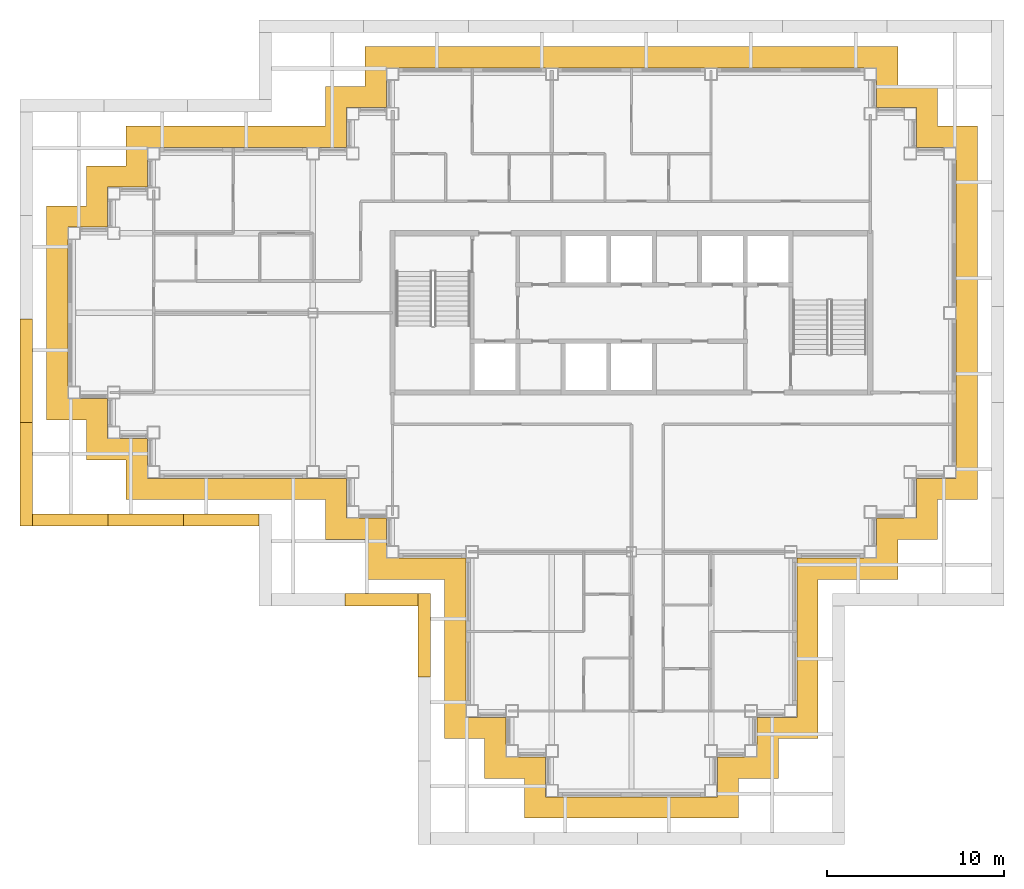
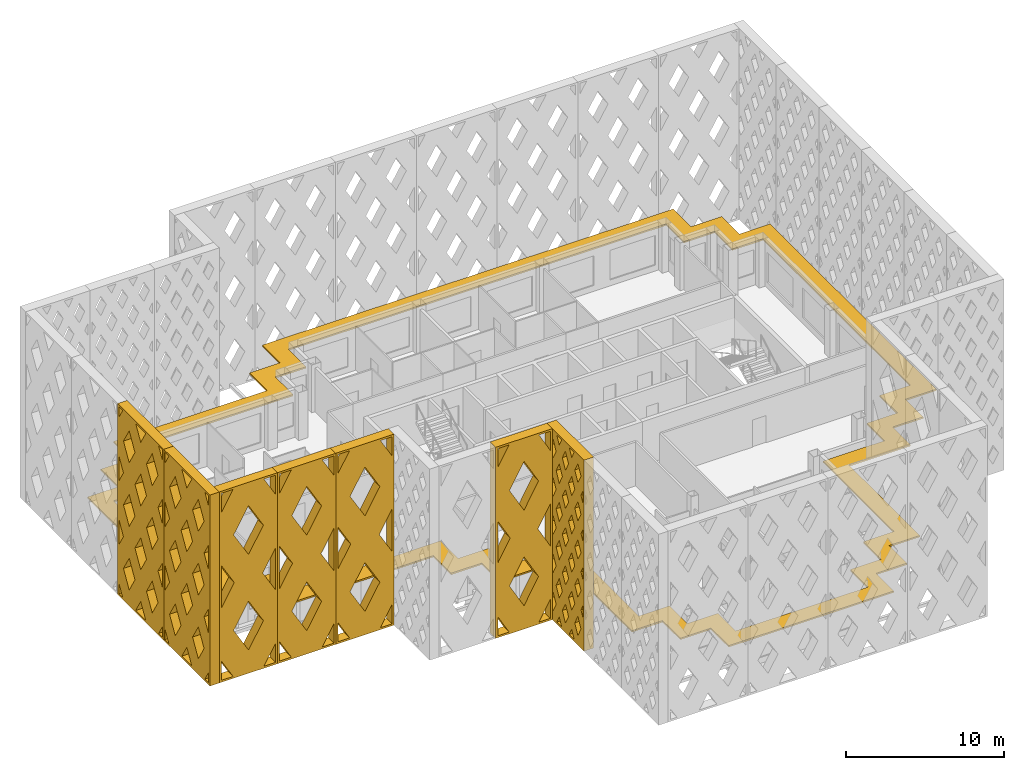
# One storey, part 11 of 16: 8 shading devices.
"""IFC4 building model written with IfcOpenShell, lengths in metres."""

from ifc_helpers import new_model, si_unit, direction, frame, origin, place, context, subcontext, project, spatial, polyline, outline, extrude, material, layer, layer_set, type_object, element, save


model = new_model("IFC4")

# Units and contexts
model_context = context("Model", 3, precision=1e-05, world=origin(), true_north=direction((0.0, 1.0)))
body_context = subcontext(model_context, "Body", "Model", "MODEL_VIEW")
ifc_project = project(units=[si_unit("LENGTHUNIT", "METRE"), si_unit("AREAUNIT", "SQUARE_METRE"), si_unit("VOLUMEUNIT", "CUBIC_METRE"), si_unit("PLANEANGLEUNIT", "RADIAN"), si_unit("MASSUNIT", "GRAM", prefix="KILO")], contexts=[model_context])

# Site, building, storey
site_placement = place(None, origin())
site = spatial("IfcSite", under=ifc_project, at=site_placement, CompositionType="ELEMENT")
building_placement = place(site_placement, origin())
building = spatial("IfcBuilding", under=site, at=building_placement, Name="Caravel Reach Hotel and Residences", CompositionType="ELEMENT")
storey_placement = place(building_placement, frame((0.0, 0.0, 207.199951171875)))
storey = spatial("IfcBuildingStorey", under=building, at=storey_placement, Name="L52", CompositionType="ELEMENT", Elevation=207.199951171875)

# Shading devices
ifc_material_1 = material(Name="Black powder-coated aluminium", Category="aluminium")
shading_device_type_1 = type_object("IfcShadingDeviceType", Name="Diamond lattice screen panel 4150 x 14800", PredefinedType="USERDEFINED", material=ifc_material_1)
shading_device_1_placement = place(storey_placement, frame((15.300048828125, 11.14990234375, 0.0), z_axis=(0.0, -1.0, 0.0), x_axis=(1.0, 0.0, 0.0)))
element("IfcShadingDevice", 1, at=shading_device_1_placement, inside=storey, type_object=shading_device_type_1, Name="Lattice screen L52-L55 10.2", ObjectType="SCREEN", PredefinedType="USERDEFINED", context=body_context, shape_type="SweptSolid", body=[
    extrude(outline(polyline([(0.0, 0.0), (4.14990234375, 0.0), (4.14990234375, 14.800048828125), (0.0, 14.800048828125), (0.0, 0.0)]), holes=[polyline([(0.97998046875, 0.14990234375), (0.14990234375, 1.6298828125), (0.14990234375, 0.14990234375), (0.97998046875, 0.14990234375)]), polyline([(1.06396484375, 7.39990234375), (0.14990234375, 9.030029296875), (0.14990234375, 5.77001953125), (1.06396484375, 7.39990234375)]), polyline([(0.14990234375, 13.170166015625), (0.97998046875, 14.64990234375), (0.14990234375, 14.64990234375), (0.14990234375, 13.170166015625)]), polyline([(2.074951171875, 5.597412109375), (1.010986328125, 3.699951171875), (2.074951171875, 1.802490234375), (3.13916015625, 3.699951171875), (2.074951171875, 5.597412109375)]), polyline([(2.074951171875, 12.997314453125), (1.010986328125, 11.10009765625), (2.074951171875, 9.20263671875), (3.13916015625, 11.10009765625), (2.074951171875, 12.997314453125)]), polyline([(4.0, 1.6298828125), (3.169921875, 0.14990234375), (4.0, 0.14990234375), (4.0, 1.6298828125)]), polyline([(3.0859375, 7.39990234375), (4.0, 5.77001953125), (4.0, 9.030029296875), (3.0859375, 7.39990234375)]), polyline([(3.169921875, 14.64990234375), (4.0, 13.170166015625), (4.0, 14.64990234375), (3.169921875, 14.64990234375)])]), origin(), (0.0, 0.0, 1.0), 0.699951171875),
])
ifc_material_2 = material(Name="Black powder-coated aluminium", Category="aluminium")
shading_device_type_2 = type_object("IfcShadingDeviceType", Name="Diamond lattice screen panel 4267 x 14800", PredefinedType="USERDEFINED", material=ifc_material_2)
for number, where, z_axis, x_axis, name in (
    (2, (-2.35009765625, 15.64990234375, 0.0), (0.0, -1.0, 0.0), (1.0, 0.0, 0.0), "Lattice screen L52-L55 8.1"),
    (3, (1.916748046875, 15.64990234375, 0.0), (0.0, -1.0, 0.0), (1.0, 0.0, 0.0), "Lattice screen L52-L55 8.2"),
    (4, (6.183349609375, 15.64990234375, 0.0), (0.0, -1.0, 0.0), (1.0, 0.0, 0.0), "Lattice screen L52-L55 8.3"),
):
    element("IfcShadingDevice", number, at=place(storey_placement, frame(where, z_axis=z_axis, x_axis=x_axis)), inside=storey, type_object=shading_device_type_2, Name=name, ObjectType="SCREEN", PredefinedType="USERDEFINED", context=body_context, shape_type="SweptSolid", body=[
        extrude(outline(polyline([(0.0, 0.0), (4.2666015625, 0.0), (4.2666015625, 14.800048828125), (0.0, 14.800048828125), (0.0, 0.0)]), holes=[polyline([(1.005615234375, 0.14990234375), (0.14990234375, 1.634033203125), (0.14990234375, 0.14990234375), (1.005615234375, 0.14990234375)]), polyline([(1.092041015625, 7.39990234375), (0.14990234375, 9.033935546875), (0.14990234375, 5.76611328125), (1.092041015625, 7.39990234375)]), polyline([(0.14990234375, 13.166015625), (1.005615234375, 14.64990234375), (0.14990234375, 14.64990234375), (0.14990234375, 13.166015625)]), polyline([(2.13330078125, 5.593994140625), (1.041259765625, 3.699951171875), (2.13330078125, 1.805908203125), (3.225341796875, 3.699951171875), (2.13330078125, 5.593994140625)]), polyline([(2.13330078125, 12.994140625), (1.041259765625, 11.10009765625), (2.13330078125, 9.205810546875), (3.225341796875, 11.10009765625), (2.13330078125, 12.994140625)]), polyline([(4.11669921875, 1.634033203125), (3.260986328125, 0.14990234375), (4.11669921875, 0.14990234375), (4.11669921875, 1.634033203125)]), polyline([(3.174560546875, 7.39990234375), (4.11669921875, 5.76611328125), (4.11669921875, 9.033935546875), (3.174560546875, 7.39990234375)]), polyline([(3.260986328125, 14.64990234375), (4.11669921875, 13.166015625), (4.11669921875, 14.64990234375), (3.260986328125, 14.64990234375)])]), origin(), (0.0, 0.0, 1.0), 0.699951171875),
    ])
ifc_material_3 = material(Name="Black powder-coated aluminium", Category="aluminium")
shading_device_type_3 = type_object("IfcShadingDeviceType", Name="Diamond lattice screen panel 4733 x 14800", PredefinedType="USERDEFINED", material=ifc_material_3)
shading_device_2_placement = place(storey_placement, frame((20.14990234375, 11.14990234375, 0.0), z_axis=(-1.0, 0.0, 0.0), x_axis=(0.0, -1.0, 0.0)))
element("IfcShadingDevice", 5, at=shading_device_2_placement, inside=storey, type_object=shading_device_type_3, Name="Lattice screen L52-L55 11.1", ObjectType="SCREEN", PredefinedType="USERDEFINED", context=body_context, shape_type="SweptSolid", body=[
    extrude(outline(polyline([(0.0, 0.0), (4.7333984375, 0.0), (4.7333984375, 14.800048828125), (0.0, 14.800048828125), (0.0, 0.0)]), holes=[polyline([(0.398681640625, 2.9599609375), (0.14990234375, 3.4267578125), (0.14990234375, 2.493408203125), (0.398681640625, 2.9599609375)]), polyline([(0.398681640625, 5.919921875), (0.14990234375, 6.38671875), (0.14990234375, 5.453369140625), (0.398681640625, 5.919921875)]), polyline([(0.398681640625, 8.8798828125), (0.14990234375, 9.3466796875), (0.14990234375, 8.413330078125), (0.398681640625, 8.8798828125)]), polyline([(0.398681640625, 11.840087890625), (0.14990234375, 12.306640625), (0.14990234375, 11.373291015625), (0.398681640625, 11.840087890625)]), polyline([(0.788818359375, 2.22802734375), (0.39013671875, 1.47998046875), (0.788818359375, 0.73193359375), (1.187744140625, 1.47998046875), (0.788818359375, 2.22802734375)]), polyline([(0.788818359375, 5.18798828125), (0.39013671875, 4.43994140625), (0.788818359375, 3.69189453125), (1.187744140625, 4.43994140625), (0.788818359375, 5.18798828125)]), polyline([(0.788818359375, 8.14794921875), (0.39013671875, 7.39990234375), (0.788818359375, 6.65185546875), (1.187744140625, 7.39990234375), (0.788818359375, 8.14794921875)]), polyline([(0.788818359375, 11.108154296875), (0.39013671875, 10.360107421875), (0.788818359375, 9.612060546875), (1.187744140625, 10.360107421875), (0.788818359375, 11.108154296875)]), polyline([(0.788818359375, 14.068115234375), (0.39013671875, 13.320068359375), (0.788818359375, 12.572021484375), (1.187744140625, 13.320068359375), (0.788818359375, 14.068115234375)]), polyline([(1.577880859375, 0.748046875), (1.259033203125, 0.14990234375), (1.896484375, 0.14990234375), (1.577880859375, 0.748046875)]), polyline([(1.577880859375, 3.7080078125), (1.178955078125, 2.9599609375), (1.577880859375, 2.2119140625), (1.9765625, 2.9599609375), (1.577880859375, 3.7080078125)]), polyline([(1.577880859375, 6.66796875), (1.178955078125, 5.919921875), (1.577880859375, 5.171875), (1.9765625, 5.919921875), (1.577880859375, 6.66796875)]), polyline([(1.577880859375, 9.6279296875), (1.178955078125, 8.8798828125), (1.577880859375, 8.1318359375), (1.9765625, 8.8798828125), (1.577880859375, 9.6279296875)]), polyline([(1.577880859375, 12.588134765625), (1.178955078125, 11.840087890625), (1.577880859375, 11.092041015625), (1.9765625, 11.840087890625), (1.577880859375, 12.588134765625)]), polyline([(1.577880859375, 14.052001953125), (1.896484375, 14.64990234375), (1.259033203125, 14.64990234375), (1.577880859375, 14.052001953125)]), polyline([(2.36669921875, 2.22802734375), (1.968017578125, 1.47998046875), (2.36669921875, 0.73193359375), (2.765380859375, 1.47998046875), (2.36669921875, 2.22802734375)]), polyline([(2.36669921875, 5.18798828125), (1.968017578125, 4.43994140625), (2.36669921875, 3.69189453125), (2.765380859375, 4.43994140625), (2.36669921875, 5.18798828125)]), polyline([(2.36669921875, 8.14794921875), (1.968017578125, 7.39990234375), (2.36669921875, 6.65185546875), (2.765380859375, 7.39990234375), (2.36669921875, 8.14794921875)]), polyline([(2.36669921875, 11.108154296875), (1.968017578125, 10.360107421875), (2.36669921875, 9.612060546875), (2.765380859375, 10.360107421875), (2.36669921875, 11.108154296875)]), polyline([(2.36669921875, 14.068115234375), (1.968017578125, 13.320068359375), (2.36669921875, 12.572021484375), (2.765380859375, 13.320068359375), (2.36669921875, 14.068115234375)]), polyline([(3.155517578125, 0.748046875), (2.836669921875, 0.14990234375), (3.474365234375, 0.14990234375), (3.155517578125, 0.748046875)]), polyline([(3.155517578125, 3.7080078125), (2.7568359375, 2.9599609375), (3.155517578125, 2.2119140625), (3.55419921875, 2.9599609375), (3.155517578125, 3.7080078125)]), polyline([(3.155517578125, 6.66796875), (2.7568359375, 5.919921875), (3.155517578125, 5.171875), (3.55419921875, 5.919921875), (3.155517578125, 6.66796875)]), polyline([(3.155517578125, 9.6279296875), (2.7568359375, 8.8798828125), (3.155517578125, 8.1318359375), (3.55419921875, 8.8798828125), (3.155517578125, 9.6279296875)]), polyline([(3.155517578125, 12.588134765625), (2.7568359375, 11.840087890625), (3.155517578125, 11.092041015625), (3.55419921875, 11.840087890625), (3.155517578125, 12.588134765625)]), polyline([(3.155517578125, 14.052001953125), (3.474365234375, 14.64990234375), (2.836669921875, 14.64990234375), (3.155517578125, 14.052001953125)]), polyline([(3.9443359375, 2.22802734375), (3.545654296875, 1.47998046875), (3.9443359375, 0.73193359375), (4.34326171875, 1.47998046875), (3.9443359375, 2.22802734375)]), polyline([(3.9443359375, 5.18798828125), (3.545654296875, 4.43994140625), (3.9443359375, 3.69189453125), (4.34326171875, 4.43994140625), (3.9443359375, 5.18798828125)]), polyline([(3.9443359375, 8.14794921875), (3.545654296875, 7.39990234375), (3.9443359375, 6.65185546875), (4.34326171875, 7.39990234375), (3.9443359375, 8.14794921875)]), polyline([(3.9443359375, 11.108154296875), (3.545654296875, 10.360107421875), (3.9443359375, 9.612060546875), (4.34326171875, 10.360107421875), (3.9443359375, 11.108154296875)]), polyline([(3.9443359375, 14.068115234375), (3.545654296875, 13.320068359375), (3.9443359375, 12.572021484375), (4.34326171875, 13.320068359375), (3.9443359375, 14.068115234375)]), polyline([(4.334716796875, 2.9599609375), (4.583251953125, 2.493408203125), (4.583251953125, 3.4267578125), (4.334716796875, 2.9599609375)]), polyline([(4.334716796875, 5.919921875), (4.583251953125, 5.453369140625), (4.583251953125, 6.38671875), (4.334716796875, 5.919921875)]), polyline([(4.334716796875, 8.8798828125), (4.583251953125, 8.413330078125), (4.583251953125, 9.3466796875), (4.334716796875, 8.8798828125)]), polyline([(4.334716796875, 11.840087890625), (4.583251953125, 11.373291015625), (4.583251953125, 12.306640625), (4.334716796875, 11.840087890625)])]), origin(), (0.0, 0.0, 1.0), 0.699951171875),
])
ifc_material_4 = material(Name="Black powder-coated aluminium", Category="aluminium")
shading_device_type_4 = type_object("IfcShadingDeviceType", Name="Diamond lattice screen panel 5850 x 14800", PredefinedType="USERDEFINED", material=ifc_material_4)
shading_device_3_placement = place(storey_placement, frame((-2.35009765625, 26.64990234375, 0.0), z_axis=(-1.0, 0.0, 0.0), x_axis=(0.0, -1.0, 0.0)))
element("IfcShadingDevice", 6, at=shading_device_3_placement, inside=storey, type_object=shading_device_type_4, Name="Lattice screen L52-L55 7.3", ObjectType="SCREEN", PredefinedType="USERDEFINED", context=body_context, shape_type="SweptSolid", body=[
    extrude(outline(polyline([(0.0, 0.0), (5.85009765625, 0.0), (5.85009765625, 14.800048828125), (0.0, 14.800048828125), (0.0, 0.0)]), holes=[polyline([(0.644775390625, 0.14990234375), (0.14990234375, 0.984375), (0.14990234375, 0.14990234375), (0.644775390625, 0.14990234375)]), polyline([(0.733642578125, 4.933349609375), (0.14990234375, 5.917724609375), (0.14990234375, 3.948974609375), (0.733642578125, 4.933349609375)]), polyline([(0.733642578125, 9.86669921875), (0.14990234375, 10.85107421875), (0.14990234375, 8.88232421875), (0.733642578125, 9.86669921875)]), polyline([(0.14990234375, 13.815673828125), (0.644775390625, 14.64990234375), (0.14990234375, 14.64990234375), (0.14990234375, 13.815673828125)]), polyline([(1.46240234375, 3.703857421875), (0.72900390625, 2.466552734375), (1.46240234375, 1.2294921875), (2.196044921875, 2.466552734375), (1.46240234375, 3.703857421875)]), polyline([(1.46240234375, 8.63720703125), (0.72900390625, 7.39990234375), (1.46240234375, 6.16259765625), (2.196044921875, 7.39990234375), (1.46240234375, 8.63720703125)]), polyline([(1.46240234375, 13.570556640625), (0.72900390625, 12.333251953125), (1.46240234375, 11.095947265625), (2.196044921875, 12.333251953125), (1.46240234375, 13.570556640625)]), polyline([(2.925048828125, 1.2373046875), (2.2802734375, 0.14990234375), (3.569580078125, 0.14990234375), (2.925048828125, 1.2373046875)]), polyline([(2.925048828125, 6.170654296875), (2.19140625, 4.933349609375), (2.925048828125, 3.696044921875), (3.65869140625, 4.933349609375), (2.925048828125, 6.170654296875)]), polyline([(2.925048828125, 11.10400390625), (2.19140625, 9.86669921875), (2.925048828125, 8.62939453125), (3.65869140625, 9.86669921875), (2.925048828125, 11.10400390625)]), polyline([(2.925048828125, 13.562744140625), (3.569580078125, 14.64990234375), (2.2802734375, 14.64990234375), (2.925048828125, 13.562744140625)]), polyline([(4.387451171875, 3.703857421875), (3.65380859375, 2.466552734375), (4.387451171875, 1.2294921875), (5.12109375, 2.466552734375), (4.387451171875, 3.703857421875)]), polyline([(4.387451171875, 8.63720703125), (3.65380859375, 7.39990234375), (4.387451171875, 6.16259765625), (5.12109375, 7.39990234375), (4.387451171875, 8.63720703125)]), polyline([(4.387451171875, 13.570556640625), (3.65380859375, 12.333251953125), (4.387451171875, 11.095947265625), (5.12109375, 12.333251953125), (4.387451171875, 13.570556640625)]), polyline([(5.699951171875, 0.984375), (5.205322265625, 0.14990234375), (5.699951171875, 0.14990234375), (5.699951171875, 0.984375)]), polyline([(5.116455078125, 4.933349609375), (5.699951171875, 3.948974609375), (5.699951171875, 5.917724609375), (5.116455078125, 4.933349609375)]), polyline([(5.116455078125, 9.86669921875), (5.699951171875, 8.88232421875), (5.699951171875, 10.85107421875), (5.116455078125, 9.86669921875)]), polyline([(5.205322265625, 14.64990234375), (5.699951171875, 13.815673828125), (5.699951171875, 14.64990234375), (5.205322265625, 14.64990234375)])]), origin(), (0.0, 0.0, 1.0), 0.699951171875),
])
shading_device_4_placement = place(storey_placement, frame((-2.35009765625, 20.800048828125, 0.0), z_axis=(-1.0, 0.0, 0.0), x_axis=(0.0, -1.0, 0.0)))
element("IfcShadingDevice", 7, at=shading_device_4_placement, inside=storey, type_object=shading_device_type_4, Name="Lattice screen L52-L55 7.4", ObjectType="SCREEN", PredefinedType="USERDEFINED", context=body_context, shape_type="SweptSolid", body=[
    extrude(outline(polyline([(0.0, 0.0), (5.85009765625, 0.0), (5.85009765625, 14.800048828125), (0.0, 14.800048828125), (0.0, 0.0)]), holes=[polyline([(0.644775390625, 0.14990234375), (0.14990234375, 0.984375), (0.14990234375, 0.14990234375), (0.644775390625, 0.14990234375)]), polyline([(0.733642578125, 4.933349609375), (0.14990234375, 5.917724609375), (0.14990234375, 3.948974609375), (0.733642578125, 4.933349609375)]), polyline([(0.733642578125, 9.86669921875), (0.14990234375, 10.85107421875), (0.14990234375, 8.88232421875), (0.733642578125, 9.86669921875)]), polyline([(0.14990234375, 13.815673828125), (0.644775390625, 14.64990234375), (0.14990234375, 14.64990234375), (0.14990234375, 13.815673828125)]), polyline([(1.46240234375, 3.703857421875), (0.72900390625, 2.466552734375), (1.46240234375, 1.2294921875), (2.196044921875, 2.466552734375), (1.46240234375, 3.703857421875)]), polyline([(1.46240234375, 8.63720703125), (0.72900390625, 7.39990234375), (1.46240234375, 6.16259765625), (2.196044921875, 7.39990234375), (1.46240234375, 8.63720703125)]), polyline([(1.46240234375, 13.570556640625), (0.72900390625, 12.333251953125), (1.46240234375, 11.095947265625), (2.196044921875, 12.333251953125), (1.46240234375, 13.570556640625)]), polyline([(2.925048828125, 1.2373046875), (2.2802734375, 0.14990234375), (3.569580078125, 0.14990234375), (2.925048828125, 1.2373046875)]), polyline([(2.925048828125, 6.170654296875), (2.19140625, 4.933349609375), (2.925048828125, 3.696044921875), (3.65869140625, 4.933349609375), (2.925048828125, 6.170654296875)]), polyline([(2.925048828125, 11.10400390625), (2.19140625, 9.86669921875), (2.925048828125, 8.62939453125), (3.65869140625, 9.86669921875), (2.925048828125, 11.10400390625)]), polyline([(2.925048828125, 13.562744140625), (3.569580078125, 14.64990234375), (2.2802734375, 14.64990234375), (2.925048828125, 13.562744140625)]), polyline([(4.387451171875, 3.703857421875), (3.65380859375, 2.466552734375), (4.387451171875, 1.2294921875), (5.12109375, 2.466552734375), (4.387451171875, 3.703857421875)]), polyline([(4.387451171875, 8.63720703125), (3.65380859375, 7.39990234375), (4.387451171875, 6.16259765625), (5.12109375, 7.39990234375), (4.387451171875, 8.63720703125)]), polyline([(4.387451171875, 13.570556640625), (3.65380859375, 12.333251953125), (4.387451171875, 11.095947265625), (5.12109375, 12.333251953125), (4.387451171875, 13.570556640625)]), polyline([(5.699951171875, 0.984375), (5.205322265625, 0.14990234375), (5.699951171875, 0.14990234375), (5.699951171875, 0.984375)]), polyline([(5.116455078125, 4.933349609375), (5.699951171875, 3.948974609375), (5.699951171875, 5.917724609375), (5.116455078125, 4.933349609375)]), polyline([(5.116455078125, 9.86669921875), (5.699951171875, 8.88232421875), (5.699951171875, 10.85107421875), (5.116455078125, 9.86669921875)]), polyline([(5.205322265625, 14.64990234375), (5.699951171875, 13.815673828125), (5.699951171875, 14.64990234375), (5.205322265625, 14.64990234375)])]), origin(), (0.0, 0.0, 1.0), 0.699951171875),
])
ifc_material_5 = material(Name="Black powder-coated aluminium", Category="aluminium")
ifc_layer = layer(ifc_material_5, 0.1201171875)
ifc_layer_set = layer_set([ifc_layer], Name="SS1 Sunshade band 1200")
shading_device_type_5 = type_object("IfcShadingDeviceType", Name="SS1 Sunshade band 1200", PredefinedType="USERDEFINED", material=ifc_layer_set)
shading_device_5_placement = place(storey_placement, frame((0.0, 0.0, 3.0400390625)))
element("IfcShadingDevice", 8, at=shading_device_5_placement, inside=storey, type_object=shading_device_type_5, Name="Sunshade L52 1", ObjectType="SUNSHADE", PredefinedType="USERDEFINED", context=body_context, shape_type="SweptSolid", body=[
    extrude(outline(polyline([(42.050048828125, 2.949951171875), (42.050048828125, 11.949951171875), (46.550048828125, 11.949951171875), (46.550048828125, 14.199951171875), (48.800048828125, 14.199951171875), (48.800048828125, 16.449951171875), (51.050048828125, 16.449951171875), (51.050048828125, 37.550048828125), (48.800048828125, 37.550048828125), (48.800048828125, 39.800048828125), (46.550048828125, 39.800048828125), (46.550048828125, 42.050048828125), (16.449951171875, 42.050048828125), (16.449951171875, 39.800048828125), (14.199951171875, 39.800048828125), (14.199951171875, 37.550048828125), (2.949951171875, 37.550048828125), (2.949951171875, 35.300048828125), (0.699951171875, 35.300048828125), (0.699951171875, 33.050048828125), (-1.550048828125, 33.050048828125), (-1.550048828125, 20.949951171875), (0.699951171875, 20.949951171875), (0.699951171875, 18.699951171875), (2.949951171875, 18.699951171875), (2.949951171875, 16.449951171875), (14.199951171875, 16.449951171875), (14.199951171875, 14.199951171875), (16.449951171875, 14.199951171875), (16.449951171875, 11.949951171875), (20.949951171875, 11.949951171875), (20.949951171875, 2.949951171875), (23.199951171875, 2.949951171875), (23.199951171875, 0.699951171875), (25.449951171875, 0.699951171875), (25.449951171875, -1.550048828125), (37.550048828125, -1.550048828125), (37.550048828125, 0.699951171875), (39.800048828125, 0.699951171875), (39.800048828125, 2.949951171875), (42.050048828125, 2.949951171875)]), holes=[polyline([(45.35009765625, 13.14990234375), (40.85009765625, 13.14990234375), (40.85009765625, 4.14990234375), (38.60009765625, 4.14990234375), (38.60009765625, 1.89990234375), (36.35009765625, 1.89990234375), (36.35009765625, -0.35009765625), (26.64990234375, -0.35009765625), (26.64990234375, 1.89990234375), (24.39990234375, 1.89990234375), (24.39990234375, 4.14990234375), (22.14990234375, 4.14990234375), (22.14990234375, 13.14990234375), (17.64990234375, 13.14990234375), (17.64990234375, 15.39990234375), (15.39990234375, 15.39990234375), (15.39990234375, 17.64990234375), (4.14990234375, 17.64990234375), (4.14990234375, 19.89990234375), (1.89990234375, 19.89990234375), (1.89990234375, 22.14990234375), (-0.35009765625, 22.14990234375), (-0.35009765625, 31.85009765625), (1.89990234375, 31.85009765625), (1.89990234375, 34.10009765625), (4.14990234375, 34.10009765625), (4.14990234375, 36.35009765625), (15.39990234375, 36.35009765625), (15.39990234375, 38.60009765625), (17.64990234375, 38.60009765625), (17.64990234375, 40.85009765625), (45.35009765625, 40.85009765625), (45.35009765625, 38.60009765625), (47.60009765625, 38.60009765625), (47.60009765625, 36.35009765625), (49.85009765625, 36.35009765625), (49.85009765625, 17.64990234375), (47.60009765625, 17.64990234375), (47.60009765625, 15.39990234375), (45.35009765625, 15.39990234375), (45.35009765625, 13.14990234375)])]), origin(), (0.0, 0.0, 1.0), 0.1201171875),
])

save(model, "model.ifc")
